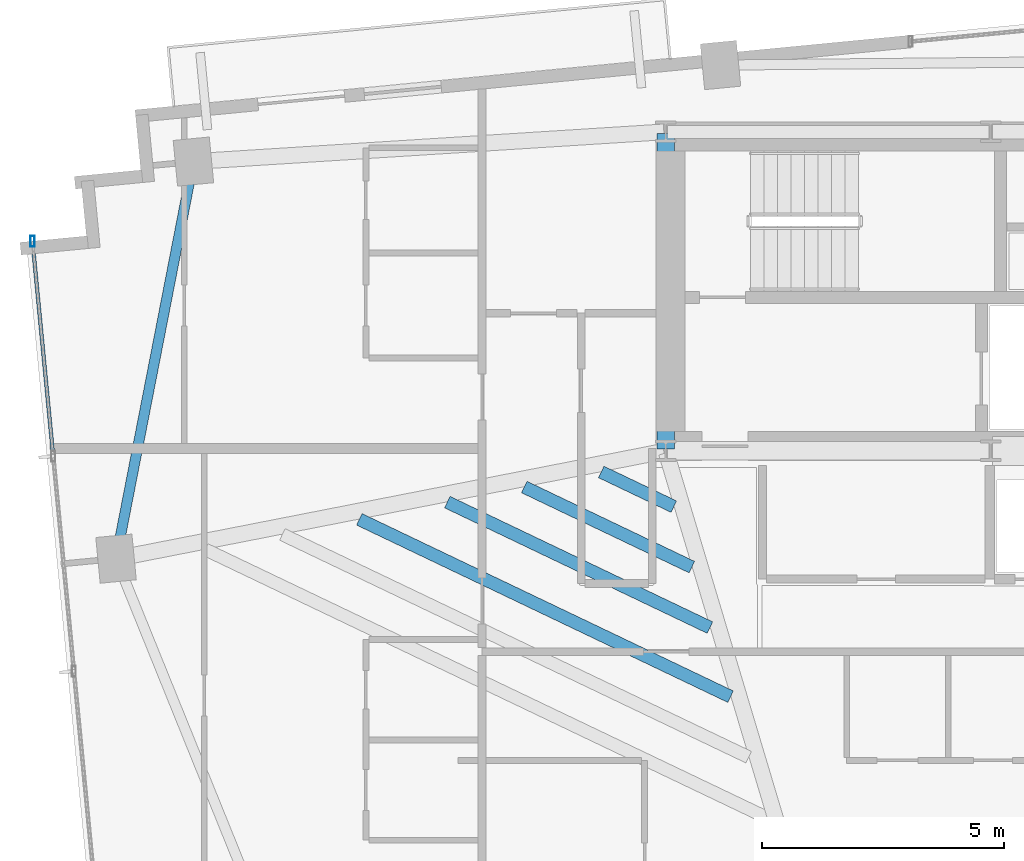
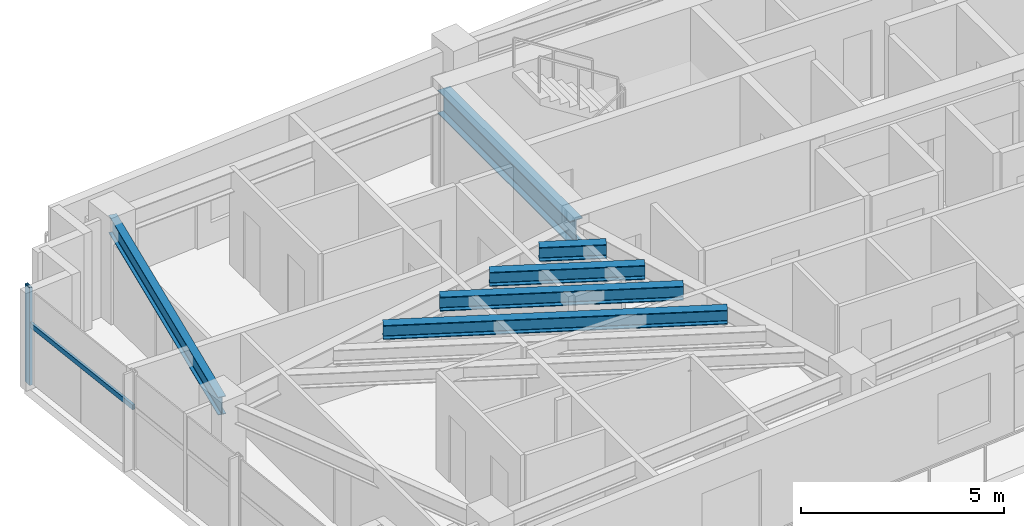
# One storey, part 3 of 18: 6 beams, 2 members, 1 element without a shape of its own.
"""IFC4 building model written with IfcOpenShell, lengths in metres."""

from ifc_helpers import new_model, si_unit, direction, frame, origin, origin_2d, place, context, subcontext, project, spatial, hollow_rectangle, i_section, extrude, source, transform, mapped, material, material_profile, profile_set, type_object, type_shapes, element, aggregate, save


model = new_model("IFC4")

# Units and contexts
model_context = context("Model", 3, precision=1e-05, world=origin(), true_north=direction((0.0, 1.0)))
body_context = subcontext(model_context, "Body", "Model", "MODEL_VIEW")
ifc_project = project(units=[si_unit("LENGTHUNIT", "METRE"), si_unit("AREAUNIT", "SQUARE_METRE"), si_unit("VOLUMEUNIT", "CUBIC_METRE"), si_unit("PLANEANGLEUNIT", "RADIAN"), si_unit("MASSUNIT", "GRAM", prefix="KILO")], contexts=[model_context])

# Site, building, storey
site_placement = place(None, origin())
site = spatial("IfcSite", under=ifc_project, at=site_placement, CompositionType="ELEMENT")
building_placement = place(site_placement, origin())
building = spatial("IfcBuilding", under=site, at=building_placement, Name="Astriad Promenade Condominiums", CompositionType="ELEMENT")
storey_placement = place(building_placement, frame((0.0, 0.0, 182.60009765625)))
storey = spatial("IfcBuildingStorey", under=building, at=storey_placement, Name="L52", CompositionType="ELEMENT", Elevation=182.60009765625)

# Beams
ifc_material_1 = material(Name="Steel ASTM A992 Grade 50", Category="steel")
ifc_material_profile_1 = material_profile(ifc_material_1, i_section(OverallWidth=0.35791015625, OverallDepth=0.706298828125, WebThickness=0.018310546875, FlangeThickness=0.0302734375, FilletRadius=0.020263671875, at=origin_2d()), Name="W27X178")
ifc_profile_set_1 = profile_set([ifc_material_profile_1], Name="Steel ASTM A992 Grade 50")
beam_type_1 = type_object("IfcBeamType", Name="STEEL FLOOR GIRDER W27X178", PredefinedType="BEAM", material=ifc_profile_set_1)
shared_shape_1 = source(origin(), body_context, "Body", "SweptSolid", [
    extrude(i_section(OverallWidth=0.35791015625, OverallDepth=0.706298828125, WebThickness=0.018310546875, FlangeThickness=0.0302734375, FilletRadius=0.020263671875, at=origin_2d()), origin(), (0.0, 0.0, 1.0), 6.52001953125),
])
type_shapes(beam_type_1, [shared_shape_1])
beam_1_placement = place(storey_placement, frame((26.39990234375, 17.43994140625, 2.586669921875), z_axis=(0.0, 1.0, 0.0), x_axis=(-1.0, 0.0, 0.0)))
element("IfcBeam", 1, at=beam_1_placement, inside=storey, type_object=beam_type_1, Name="Core Ring Beam CG-W1-L52", PredefinedType="BEAM", context=body_context, shape_type="MappedRepresentation", body=[
    mapped(shared_shape_1, transform((0.0, 0.0, 0.0), scale=1.0)),
])
ifc_material_profile_2 = material_profile(ifc_material_1, i_section(OverallWidth=0.210693359375, OverallDepth=0.53955078125, WebThickness=0.01171875, FlangeThickness=0.018798828125, FilletRadius=0.0166015625, at=origin_2d()), Name="W21X73")
ifc_profile_set_2 = profile_set([ifc_material_profile_2], Name="Steel ASTM A992 Grade 50")
beam_type_2 = type_object("IfcBeamType", Name="STEEL SPANDREL BEAM W21X73", PredefinedType="SPANDREL", material=ifc_profile_set_2)
shared_shape_2 = source(origin(), body_context, "Body", "SweptSolid", [
    extrude(i_section(OverallWidth=0.210693359375, OverallDepth=0.53955078125, WebThickness=0.01171875, FlangeThickness=0.018798828125, FilletRadius=0.0166015625, at=origin_2d()), origin(), (0.0, 0.0, 1.0), 8.28564453125),
])
type_shapes(beam_type_2, [shared_shape_2])
beam_2_placement = place(storey_placement, frame((16.62451171875, 23.3447265625, 2.670166015625), z_axis=(-0.191291582099, -0.981533254973, 0.0), x_axis=(0.981533254973, -0.191291582099, 0.0)))
element("IfcBeam", 2, at=beam_2_placement, inside=storey, type_object=beam_type_2, Name="Perimeter Spandrel Beam SP-W2-L52", PredefinedType="SPANDREL", context=body_context, shape_type="MappedRepresentation", body=[
    mapped(shared_shape_2, transform((0.0, 0.0, 0.0), scale=1.0)),
])
ifc_material_profile_3 = material_profile(ifc_material_1, i_section(OverallWidth=0.26318359375, OverallDepth=0.425537109375, WebThickness=0.01318359375, FlangeThickness=0.022216796875, FilletRadius=0.013916015625, at=origin_2d()), Name="W16X89")
ifc_profile_set_3 = profile_set([ifc_material_profile_3], Name="Steel ASTM A992 Grade 50")
beam_type_3 = type_object("IfcBeamType", Name="STEEL FLOOR JOIST W16X89", PredefinedType="JOIST", material=ifc_profile_set_3)
shared_shape_3 = source(origin(), body_context, "Body", "SweptSolid", [
    extrude(i_section(OverallWidth=0.26318359375, OverallDepth=0.425537109375, WebThickness=0.01318359375, FlangeThickness=0.022216796875, FilletRadius=0.013916015625, at=origin_2d()), origin(), (0.0, 0.0, 1.0), 8.508056640625),
])
beam_3_placement = place(storey_placement, frame((20.06298828125, 15.985595703125, 2.72705078125), z_axis=(0.902339530667, -0.431025952113, 0.0), x_axis=(0.431025952113, 0.902339530667, 0.0)))
element("IfcBeam", 3, at=beam_3_placement, inside=storey, type_object=beam_type_3, Name="Secondary Composite Floor Joist JW1-3-L52", PredefinedType="JOIST", context=body_context, shape_type="MappedRepresentation", body=[
    mapped(shared_shape_3, transform((0.0, 0.0, 0.0), scale=1.0)),
])
shared_shape_4 = source(origin(), body_context, "Body", "SweptSolid", [
    extrude(i_section(OverallWidth=0.26318359375, OverallDepth=0.425537109375, WebThickness=0.01318359375, FlangeThickness=0.022216796875, FilletRadius=0.013916015625, at=origin_2d()), origin(), (0.0, 0.0, 1.0), 6.01904296875),
])
beam_4_placement = place(storey_placement, frame((21.882080078125, 16.342041015625, 2.72705078125), z_axis=(0.902329759838, -0.431046406446, 0.0), x_axis=(0.431046406446, 0.902329759838, 0.0)))
element("IfcBeam", 4, at=beam_4_placement, inside=storey, type_object=beam_type_3, Name="Secondary Composite Floor Joist JW1-4-L52", PredefinedType="JOIST", context=body_context, shape_type="MappedRepresentation", body=[
    mapped(shared_shape_4, transform((0.0, 0.0, 0.0), scale=1.0)),
])
shared_shape_5 = source(origin(), body_context, "Body", "SweptSolid", [
    extrude(i_section(OverallWidth=0.26318359375, OverallDepth=0.425537109375, WebThickness=0.01318359375, FlangeThickness=0.022216796875, FilletRadius=0.013916015625, at=origin_2d()), origin(), (0.0, 0.0, 1.0), 3.84130859375),
])
beam_5_placement = place(storey_placement, frame((23.473388671875, 16.65380859375, 2.72705078125), z_axis=(0.902328811953, -0.431048390693, 0.0), x_axis=(0.431048390693, 0.902328811953, 0.0)))
element("IfcBeam", 5, at=beam_5_placement, inside=storey, type_object=beam_type_3, Name="Secondary Composite Floor Joist JW1-5-L52", PredefinedType="JOIST", context=body_context, shape_type="MappedRepresentation", body=[
    mapped(shared_shape_5, transform((0.0, 0.0, 0.0), scale=1.0)),
])
shared_shape_6 = source(origin(), body_context, "Body", "SweptSolid", [
    extrude(i_section(OverallWidth=0.26318359375, OverallDepth=0.425537109375, WebThickness=0.01318359375, FlangeThickness=0.022216796875, FilletRadius=0.013916015625, at=origin_2d()), origin(), (0.0, 0.0, 1.0), 1.6630859375),
])
type_shapes(beam_type_3, [shared_shape_3, shared_shape_4, shared_shape_5, shared_shape_6])
beam_6_placement = place(storey_placement, frame((25.065185546875, 16.965576171875, 2.72705078125), z_axis=(0.902355200591, -0.430993146077, 0.0), x_axis=(0.430993146077, 0.902355200591, 0.0)))
element("IfcBeam", 6, at=beam_6_placement, inside=storey, type_object=beam_type_3, Name="Secondary Composite Floor Joist JW1-6-L52", PredefinedType="JOIST", context=body_context, shape_type="MappedRepresentation", body=[
    mapped(shared_shape_6, transform((0.0, 0.0, 0.0), scale=1.0)),
])

# Curtain wall, members
ifc_material_2 = material(Name="Anodised aluminium Black Dark Glass Unitised", Category="aluminium")
curtain_wall_type = type_object("IfcCurtainWallType", Name="CW-B34-DARK", PredefinedType="USERDEFINED", material=ifc_material_2)
curtain_wall_placement = place(storey_placement, origin())
curtain_wall = element("IfcCurtainWall", 7, at=curtain_wall_placement, inside=storey, type_object=curtain_wall_type, Name="CW-L52-W", ObjectType="UNITISED_CURTAIN_WALL", PredefinedType="USERDEFINED")
ifc_material_3 = material(Name="Anodised aluminium 6063-T6 Black", Category="aluminium")
ifc_material_profile_4 = material_profile(ifc_material_3, hollow_rectangle(XDim=0.0849609375, YDim=0.219970703125, WallThickness=0.0048828125, at=origin_2d()), Name="ALU-MUL-85X220")
ifc_profile_set_4 = profile_set([ifc_material_profile_4], Name="Anodised aluminium 6063-T6 Black")
member_type_1 = type_object("IfcMemberType", Name="MUL-ALU-MUL-85X220", PredefinedType="MULLION", material=ifc_profile_set_4)
shared_shape_7 = source(origin(), body_context, "Body", "SweptSolid", [
    extrude(hollow_rectangle(XDim=0.0849609375, YDim=0.219970703125, WallThickness=0.0048828125, at=origin_2d()), origin(), (0.0, 0.0, 1.0), 2.93994140625),
])
type_shapes(member_type_1, [shared_shape_7])
member_1_placement = place(storey_placement, frame((13.3046875, 21.737548828125, 0.0), z_axis=(0.0, 0.0, 1.0), x_axis=(1.0, 0.0, 0.0)))
member_1 = element("IfcMember", 8, at=member_1_placement, type_object=member_type_1, Name="CW-L52-W-MUL-03", PredefinedType="MULLION", context=body_context, shape_type="MappedRepresentation", body=[
    mapped(shared_shape_7, transform((0.0, 0.0, 0.0), scale=1.0)),
])
ifc_material_profile_5 = material_profile(ifc_material_3, hollow_rectangle(XDim=0.074951171875, YDim=0.14990234375, WallThickness=0.004150390625, at=origin_2d()), Name="ALU-TRN-75X150")
ifc_profile_set_5 = profile_set([ifc_material_profile_5], Name="Anodised aluminium 6063-T6 Black")
member_type_2 = type_object("IfcMemberType", Name="TRN-ALU-TRN-75X150", PredefinedType="USERDEFINED", material=ifc_profile_set_5)
shared_shape_8 = source(origin(), body_context, "Body", "SweptSolid", [
    extrude(hollow_rectangle(XDim=0.074951171875, YDim=0.14990234375, WallThickness=0.004150390625, at=origin_2d()), origin(), (0.0, 0.0, 1.0), 4.466552734375),
])
type_shapes(member_type_2, [shared_shape_8])
member_2_placement = place(storey_placement, frame((13.732666015625, 17.29150390625, 1.82275390625), z_axis=(-0.095817598554, 0.995398908884, 0.0), x_axis=(-0.995398908884, -0.095817598554, 0.0)))
member_2 = element("IfcMember", 9, at=member_2_placement, type_object=member_type_2, Name="CW-L52-W-TRN-02-0", ObjectType="TRANSOM", PredefinedType="USERDEFINED", context=body_context, shape_type="MappedRepresentation", body=[
    mapped(shared_shape_8, transform((0.0, 0.0, 0.0), scale=1.0)),
])
aggregate(curtain_wall, [member_1, member_2])

save(model, "model.ifc")
